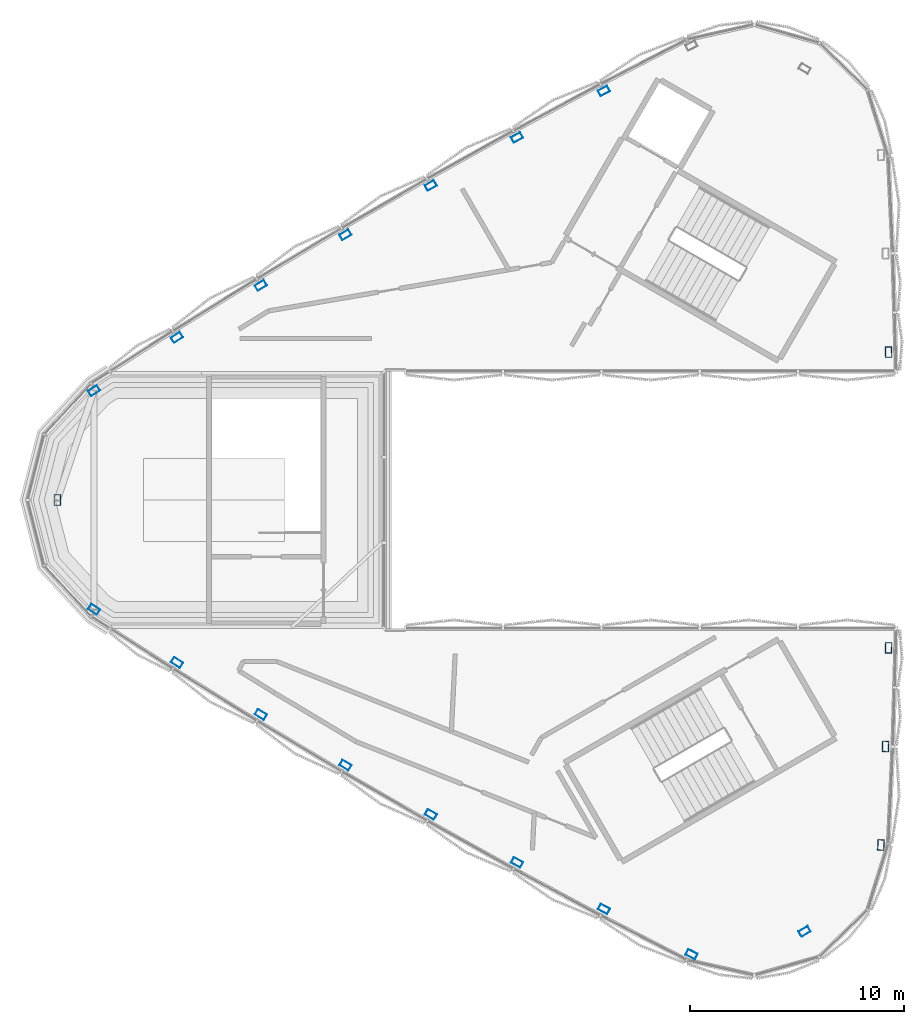
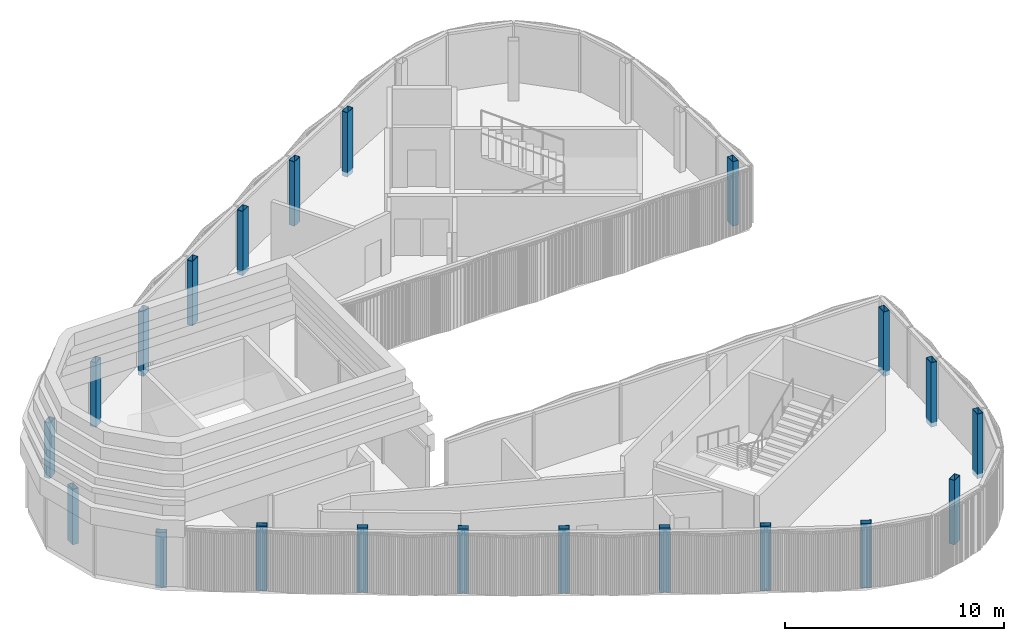
# One storey, part 1 of 16: 21 columns.
"""IFC4 building model written with IfcOpenShell, lengths in metres."""

from ifc_helpers import new_model, si_unit, direction, frame, origin, origin_2d, place, context, subcontext, project, spatial, hollow_rectangle, extrude, material, material_profile, profile_set, type_object, element, save


model = new_model("IFC4")

# Units and contexts
model_context = context("Model", 3, precision=1e-05, world=origin(), true_north=direction((0.0, 1.0)))
body_context = subcontext(model_context, "Body", "Model", "MODEL_VIEW")
ifc_project = project(units=[si_unit("LENGTHUNIT", "METRE"), si_unit("AREAUNIT", "SQUARE_METRE"), si_unit("VOLUMEUNIT", "CUBIC_METRE"), si_unit("PLANEANGLEUNIT", "RADIAN"), si_unit("MASSUNIT", "GRAM", prefix="KILO")], contexts=[model_context])

# Site, building, storey
site_placement = place(None, origin())
site = spatial("IfcSite", under=ifc_project, at=site_placement, CompositionType="ELEMENT")
building_placement = place(site_placement, origin())
building = spatial("IfcBuilding", under=site, at=building_placement, Name="Tamra Quay Hotel Tower", CompositionType="ELEMENT")
storey_placement = place(building_placement, frame((0.0, 0.0, 327.800048828125)))
storey = spatial("IfcBuildingStorey", under=building, at=storey_placement, Name="Roof crown 3", CompositionType="ELEMENT", Elevation=327.800048828125)

# Columns
ifc_material = material(Name="Structural steel IS 2062 E350", Category="steel")
ifc_material_profile = material_profile(ifc_material, hollow_rectangle(XDim=0.300048828125, YDim=0.5, WallThickness=0.01611328125, at=origin_2d()), Name="RHS 500x300x16")
ifc_profile_set = profile_set([ifc_material_profile], Name="Structural steel IS 2062 E350")
column_type = type_object("IfcColumnType", Name="CROWN FRAME POST RHS 500x300x16", PredefinedType="COLUMN", material=ifc_profile_set)
for number, where, z_axis, x_axis, name in (
    (1, (-13.765380859375, 10.022216796875, -0.25), (0.0, 0.0, 1.0), (-0.520430007934, 0.8539043312, 0.0), "CF-A-C6NW06-Roofcrown3"),
    (2, (-17.681396484375, 7.594970703125, -0.25), (0.0, 0.0, 1.0), (-0.533133229604, 0.846031299357, 0.0), "CF-A-C6NW07-Roofcrown3"),
    (3, (15.56201171875, 6.909912109375, -0.25), (0.0, 0.0, 1.0), (0.999717847188, 0.023753442163, 0.0), "CF-A-C6E06-Roofcrown3"),
    (4, (2.26318359375, 19.110107421875, -0.25), (0.0, 0.0, 1.0), (-0.466117982839, 0.884722570117, 0.0), "CF-A-C6NW02-Roofcrown3"),
    (5, (-1.796875, 16.93212890625, -0.25), (0.0, 0.0, 1.0), (-0.479287839253, 0.877657773363, 0.0), "CF-A-C6NW03-Roofcrown3"),
    (6, (-5.822265625, 14.69140625, -0.25), (0.0, 0.0, 1.0), (-0.493125204396, 0.869958351181, 0.0), "CF-A-C6NW04-Roofcrown3"),
    (7, (-9.81201171875, 12.3876953125, -0.25), (0.0, 0.0, 1.0), (-0.506843430159, 0.862038129844, 0.0), "CF-A-C6NW05-Roofcrown3"),
    (8, (-9.81201171875, -12.3876953125, -0.25), (0.0, 0.0, 1.0), (0.506843430159, 0.862038129844, 0.0), "CF-B-C6SW04-Roofcrown3"),
    (9, (-5.822265625, -14.69140625, -0.25), (0.0, 0.0, 1.0), (0.493125204396, 0.869958351181, 0.0), "CF-B-C6SW05-Roofcrown3"),
    (10, (-1.796875, -16.93212890625, -0.25), (0.0, 0.0, 1.0), (0.479287839253, 0.877657773363, 0.0), "CF-B-C6SW06-Roofcrown3"),
    (11, (2.26318359375, -19.110107421875, -0.25), (0.0, 0.0, 1.0), (0.466117982839, 0.884722570117, 0.0), "CF-B-C6SW07-Roofcrown3"),
    (12, (6.3564453125, -21.22412109375, -0.25), (0.0, 0.0, 1.0), (0.451685882938, 0.89217703577, 0.0), "CF-B-C6SW08-Roofcrown3"),
    (13, (11.63671875, -20.1552734375, -0.25), (0.0, 0.0, 1.0), (-0.5, 0.866025403784, 0.0), "CF-B-M6SE-Roofcrown3"),
    (14, (15.202392578125, -16.116943359375, -0.25), (0.0, 0.0, 1.0), (-0.998490919119, 0.05491706873, 0.0), "CF-B-C6E01-Roofcrown3"),
    (15, (15.418212890625, -11.51513671875, -0.25), (0.0, 0.0, 1.0), (-0.999251212442, 0.03869127076, 0.0), "CF-B-C6E02-Roofcrown3"),
    (16, (15.56201171875, -6.909912109375, -0.25), (0.0, 0.0, 1.0), (-0.999717847188, 0.023753442163, 0.0), "CF-B-C6E03-Roofcrown3"),
    (17, (-17.681396484375, -7.594970703125, -0.25), (0.0, 0.0, 1.0), (0.533133229604, 0.846031299357, 0.0), "CF-B-C6SW02-Roofcrown3"),
    (18, (-13.765380859375, -10.022216796875, -0.25), (0.0, 0.0, 1.0), (0.520430007934, 0.8539043312, 0.0), "CF-B-C6SW03-Roofcrown3"),
):
    element("IfcColumn", number, at=place(storey_placement, frame(where, z_axis=z_axis, x_axis=x_axis)), inside=storey, type_object=column_type, Name=name, PredefinedType="COLUMN", context=body_context, shape_type="SweptSolid", body=[
        extrude(hollow_rectangle(XDim=0.300048828125, YDim=0.5, WallThickness=0.01611328125, at=origin_2d()), origin(), (0.0, 0.0, 1.0), 3.599853515625),
    ])
for number, where, z_axis, x_axis, name in (
    (19, (-21.558837890625, -5.107421875, -0.25), (0.0, 0.0, 1.0), (0.546805036181, 0.83725996704, 0.0), "CF-C-C6SW01-Roofcrown3"),
    (20, (-21.558837890625, 5.107421875, -0.25), (0.0, 0.0, 1.0), (-0.546805036181, 0.83725996704, 0.0), "CF-C-C6NW08-Roofcrown3"),
    (21, (-23.2734375, 0.0, -0.25), (0.0, 0.0, 1.0), (1.0, 0.0, 0.0), "CF-C-M6W-Roofcrown3"),
):
    element("IfcColumn", number, at=place(storey_placement, frame(where, z_axis=z_axis, x_axis=x_axis)), inside=storey, type_object=column_type, Name=name, PredefinedType="COLUMN", context=body_context, shape_type="SweptSolid", body=[
        extrude(hollow_rectangle(XDim=0.300048828125, YDim=0.5, WallThickness=0.01611328125, at=origin_2d()), origin(), (0.0, 0.0, 1.0), 3.099853515625),
    ])

save(model, "model.ifc")
